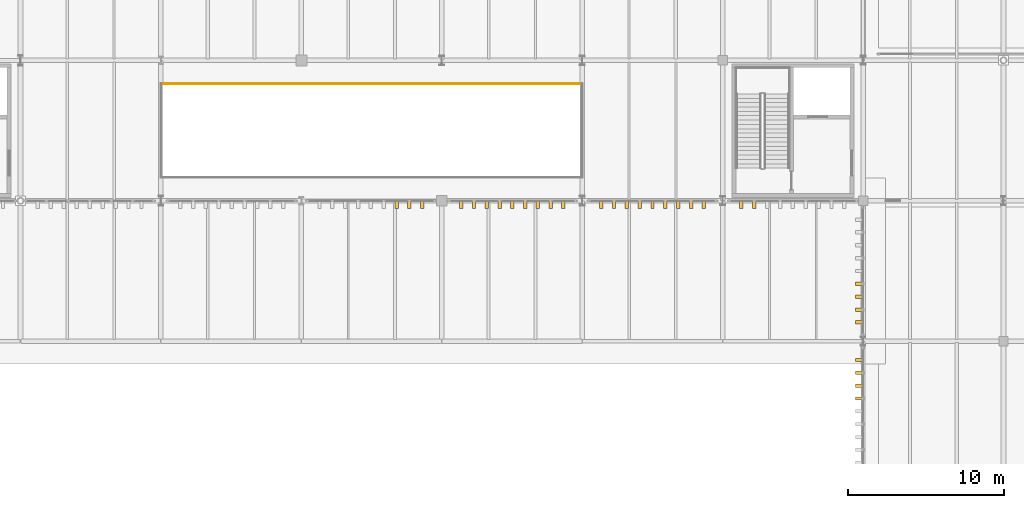
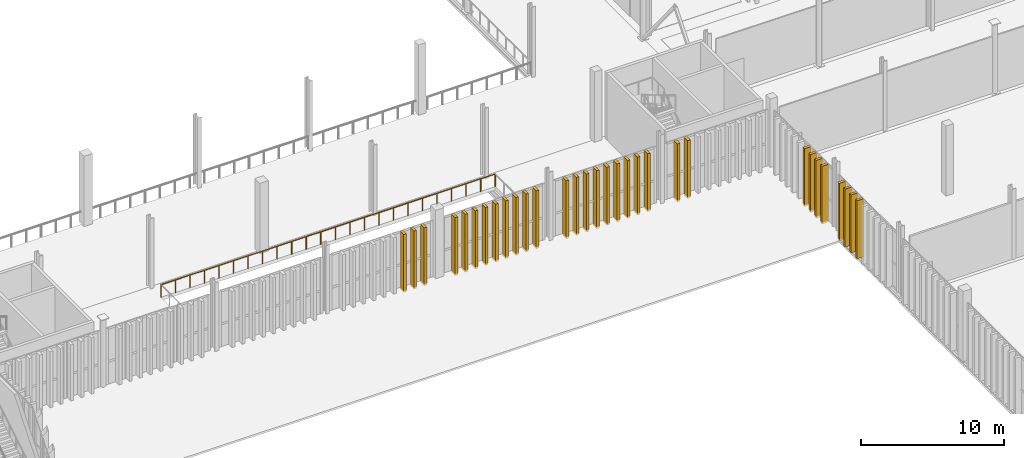
# One storey, part 195 of 211: 31 shading devices, 1 railing.
"""IFC4 building model written with IfcOpenShell, lengths in metres."""

import ifcopenshell
import ifcopenshell.guid

model = None  # the IFC model being written
_history = None  # IfcOwnerHistory: only IFC2X3 demands one
_inside = {}  # id of a spatial element -> (the spatial element, [elements in it])
_under = {}  # id of a project, library or spatial element -> (it, [spatial elements below it])
_declared = {}  # id of a project -> (the project, [libraries it declares])
_typed = {}  # id of a type object -> (the type object, [elements of that type])
_made_of = {}  # id of a material, layer set ... -> (it, [elements and type objects made of it])


def new_model(schema):
    """Start an empty IFC model of exactly this schema.

    Asked for "IFC4X3", IfcOpenShell would pick the latest addendum, in which some entities
    have other attributes; the version numbers below select the first issue.
    IFC2X3 requires an IfcOwnerHistory on every rooted entity: one is made here for all.
    """
    global model, _history
    if schema == "IFC4X3":
        model = ifcopenshell.file(schema_version=(4, 3, 0, 0))
    else:
        model = ifcopenshell.file(schema=schema)
    _inside.clear()
    _under.clear()
    _declared.clear()
    _typed.clear()
    _made_of.clear()
    _history = None
    if model.schema == "IFC2X3":
        org = make("IfcOrganization", Name="unknown")
        user = make(
            "IfcPersonAndOrganization",
            ThePerson=make("IfcPerson", FamilyName="unknown"),
            TheOrganization=org,
        )
        app = make(
            "IfcApplication",
            ApplicationDeveloper=org,
            Version="unknown",
            ApplicationFullName="unknown",
            ApplicationIdentifier="unknown",
        )
        _history = make(
            "IfcOwnerHistory",
            OwningUser=user,
            OwningApplication=app,
            ChangeAction="ADDED",
            CreationDate=0,
        )
    return model


def make(cls, **values):
    """One entity of the class cls with the attributes given. An attribute that is None is left unset."""
    return model.create_entity(
        cls, **{name: value for name, value in values.items() if value is not None}
    )


def rooted(cls, **values):
    """An entity with a GlobalId (a new one), such as an element, a storey or a relation."""
    return make(cls, GlobalId=ifcopenshell.guid.new(), OwnerHistory=_history, **values)


def si_unit(unit_type, name, prefix=None):
    """IfcSIUnit, for example si_unit("LENGTHUNIT", "METRE", prefix="MILLI")."""
    return make("IfcSIUnit", UnitType=unit_type, Prefix=prefix, Name=name)


def assignment(units):
    """IfcUnitAssignment: the units of a project."""
    return None if units is None else make("IfcUnitAssignment", Units=units)


def point(xyz):
    """IfcCartesianPoint."""
    return None if xyz is None else make("IfcCartesianPoint", Coordinates=xyz)


def direction(xyz):
    """IfcDirection."""
    return None if xyz is None else make("IfcDirection", DirectionRatios=xyz)


def frame(location, z_axis=None, x_axis=None):
    """IfcAxis2Placement3D, a coordinate frame: its origin and axes. An axis left out is left unset."""
    return make(
        "IfcAxis2Placement3D",
        Location=point(location),
        Axis=direction(z_axis),
        RefDirection=direction(x_axis),
    )


def frame_2d(location, x_axis=None):
    """IfcAxis2Placement2D, a coordinate frame in the plane: its origin and x axis."""
    return make(
        "IfcAxis2Placement2D", Location=point(location), RefDirection=direction(x_axis)
    )


def origin():
    """The frame at (0, 0, 0) with its axes left unset."""
    return frame((0.0, 0.0, 0.0))


def origin_2d():
    """The frame at (0, 0) in the plane with its x axis left unset."""
    return frame_2d((0.0, 0.0))


def place(relative_to, where):
    """IfcLocalPlacement: puts the frame where relative to a parent placement (None: the world)."""
    return make(
        "IfcLocalPlacement", PlacementRelTo=relative_to, RelativePlacement=where
    )


def context(
    kind, dimensions, precision=None, world=None, true_north=None, identifier=None
):
    """IfcGeometricRepresentationContext, for example the 3D "Model" context."""
    return make(
        "IfcGeometricRepresentationContext",
        ContextIdentifier=identifier,
        ContextType=kind,
        CoordinateSpaceDimension=dimensions,
        Precision=precision,
        WorldCoordinateSystem=world,
        TrueNorth=true_north,
    )


def subcontext(parent, identifier, kind, view, scale=None):
    """IfcGeometricRepresentationSubContext, for example "Body" below "Model"."""
    return make(
        "IfcGeometricRepresentationSubContext",
        ContextIdentifier=identifier,
        ContextType=kind,
        ParentContext=parent,
        TargetScale=scale,
        TargetView=view,
    )


def project(units=None, contexts=None):
    """IfcProject with its units and contexts."""
    return rooted(
        "IfcProject",
        Name="project",
        RepresentationContexts=contexts,
        UnitsInContext=assignment(units),
    )


def spatial(cls, under=None, at=None, **own):
    """A site, building, storey or space (cls), placed at a placement, below another one or the project."""
    s = rooted(cls, ObjectPlacement=at, **own)
    if under is not None:
        _under.setdefault(under.id(), (under, []))[1].append(s)
    return s


def profile(cls, at=None, kind="AREA", **sizes):
    """A parametric profile (cls). Its sizes go by their IFC names, for example OverallWidth=200.0."""
    return make(cls, ProfileType=kind, Position=at, **sizes)


def rectangle(**sizes):
    """IfcRectangleProfileDef."""
    return profile("IfcRectangleProfileDef", **sizes)


def circle(**sizes):
    """IfcCircleProfileDef."""
    return profile("IfcCircleProfileDef", **sizes)


def extrude(swept, where, along, depth):
    """IfcExtrudedAreaSolid: the profile swept, set in the frame where, extruded along a direction by depth."""
    return make(
        "IfcExtrudedAreaSolid",
        SweptArea=swept,
        Position=where,
        ExtrudedDirection=direction(along),
        Depth=depth,
    )


def shape(context_of_items, identifier, shape_type, items):
    """IfcShapeRepresentation: the items that make up one representation, for example the "Body"."""
    return make(
        "IfcShapeRepresentation",
        ContextOfItems=context_of_items,
        RepresentationIdentifier=identifier,
        RepresentationType=shape_type,
        Items=items,
    )


def material(Name=None, Category=None):
    """IfcMaterial."""
    return make("IfcMaterial", Name=Name, Category=Category)


def made_of(thing, what):
    """Note that an element or type object is made of a material, layer set ...; save() writes the relation."""
    if what is not None:
        _made_of.setdefault(what.id(), (what, []))[1].append(thing)
    return thing


def type_object(cls, material=None, **own):
    """A type object (cls), such as IfcWallType, which elements share."""
    return made_of(rooted(cls, **own), material)


def element(
    cls,
    number,
    at=None,
    inside=None,
    cuts=None,
    type_object=None,
    material=None,
    context=None,
    identifier="Body",
    shape_type=None,
    held_by="IfcProductDefinitionShape",
    body=None,
    shapes=None,
    **own,
):
    """One element of the class cls, such as IfcWall. Its Tag is "e" and its number.

    at: its placement. inside: the storey or other place that contains it. cuts: it is an
    opening in that element (IfcRelVoidsElement). A single representation is given by context,
    identifier, shape_type and body (its items); several are given by shapes. held_by: the class
    of the entity that holds the representations. save() writes the other relations.
    """
    e = rooted(cls, Tag="e%d" % number, ObjectPlacement=at, **own)
    if body is not None:
        shapes = [shape(context, identifier, shape_type, body)]
    if shapes is not None:
        e.Representation = make(held_by, Representations=shapes)
    if inside is not None:
        _inside.setdefault(inside.id(), (inside, []))[1].append(e)
    if cuts is not None:
        rooted(
            "IfcRelVoidsElement", RelatingBuildingElement=cuts, RelatedOpeningElement=e
        )
    if type_object is not None:
        _typed.setdefault(type_object.id(), (type_object, []))[1].append(e)
    return made_of(e, material)


def aggregate(whole, parts):
    """IfcRelAggregates: a whole, such as a stair, and the parts it consists of."""
    return rooted("IfcRelAggregates", RelatingObject=whole, RelatedObjects=parts)


def save(model, path):
    """Write the relations noted so far, then the file.

    IfcRelAggregates (storeys below a building ...), IfcRelContainedInSpatialStructure (elements
    in a storey), IfcRelDefinesByType, IfcRelAssociatesMaterial and IfcRelDeclares: one each for
    every whole, place, type object, material and project.
    """
    for whole, parts in _under.values():
        aggregate(whole, parts)
    for where, things in _inside.values():
        rooted(
            "IfcRelContainedInSpatialStructure",
            RelatedElements=things,
            RelatingStructure=where,
        )
    for kind, things in _typed.values():
        rooted("IfcRelDefinesByType", RelatedObjects=things, RelatingType=kind)
    for what, things in _made_of.values():
        rooted("IfcRelAssociatesMaterial", RelatedObjects=things, RelatingMaterial=what)
    for by, libraries in _declared.values():
        rooted("IfcRelDeclares", RelatingContext=by, RelatedDefinitions=libraries)
    model.write(path)


model = new_model("IFC4")

# Units and contexts
model_context = context("Model", 3, precision=1e-05, world=origin(), true_north=direction((0.0, 1.0)))
body_context = subcontext(model_context, "Body", "Model", "MODEL_VIEW")
ifc_project = project(units=[si_unit("LENGTHUNIT", "METRE"), si_unit("AREAUNIT", "SQUARE_METRE"), si_unit("VOLUMEUNIT", "CUBIC_METRE"), si_unit("PLANEANGLEUNIT", "RADIAN"), si_unit("MASSUNIT", "GRAM", prefix="KILO")], contexts=[model_context])

# Site, building, storey
site_placement = place(None, origin())
site = spatial("IfcSite", under=ifc_project, at=site_placement, CompositionType="ELEMENT")
building_placement = place(site_placement, origin())
building = spatial("IfcBuilding", under=site, at=building_placement, Name="Barlavento Convention Centre", CompositionType="ELEMENT")
storey_placement = place(building_placement, frame((0.0, 0.0, 6.0)))
storey = spatial("IfcBuildingStorey", under=building, at=storey_placement, Name="L01", CompositionType="ELEMENT", Elevation=6.0)

# Railing
ifc_material_1 = material(Name="Stainless steel and laminated glass balustrade", Category="steel")
railing_type = type_object("IfcRailingType", Name="ARC-RAL-BAL-1100", PredefinedType="BALUSTRADE", material=ifc_material_1)
railing_placement = place(storey_placement, frame((108.0, 52.5, 0.0)))
element("IfcRailing", 1, at=railing_placement, inside=storey, type_object=railing_type, Name="L01 interior atrium or gallery balustrade GR01", PredefinedType="BALUSTRADE", context=body_context, shape_type="SweptSolid", body=[
    extrude(circle(Radius=0.02392578125, at=origin_2d()), frame((0.0, 0.0, 1.076171875), z_axis=(-1.0, 0.0, 0.0), x_axis=(0.0, -1.0, 0.0)), (0.0, 0.0, 1.0), 27.0),
    extrude(circle(Radius=0.02099609375, at=origin_2d()), origin(), (0.0, 0.0, 1.0), 1.052001953125),
    extrude(circle(Radius=0.02099609375, at=origin_2d()), frame((-1.173828125, 0.0, 0.0)), (0.0, 0.0, 1.0), 1.052001953125),
    extrude(circle(Radius=0.02099609375, at=origin_2d()), frame((-2.347900390625, 0.0, 0.0)), (0.0, 0.0, 1.0), 1.052001953125),
    extrude(circle(Radius=0.02099609375, at=origin_2d()), frame((-3.521728515625, 0.0, 0.0)), (0.0, 0.0, 1.0), 1.052001953125),
    extrude(circle(Radius=0.02099609375, at=origin_2d()), frame((-4.695556640625, 0.0, 0.0)), (0.0, 0.0, 1.0), 1.052001953125),
    extrude(circle(Radius=0.02099609375, at=origin_2d()), frame((-5.86962890625, 0.0, 0.0)), (0.0, 0.0, 1.0), 1.052001953125),
    extrude(circle(Radius=0.02099609375, at=origin_2d()), frame((-7.04345703125, 0.0, 0.0)), (0.0, 0.0, 1.0), 1.052001953125),
    extrude(circle(Radius=0.02099609375, at=origin_2d()), frame((-8.21728515625, 0.0, 0.0)), (0.0, 0.0, 1.0), 1.052001953125),
    extrude(circle(Radius=0.02099609375, at=origin_2d()), frame((-9.391357421875, 0.0, 0.0)), (0.0, 0.0, 1.0), 1.052001953125),
    extrude(circle(Radius=0.02099609375, at=origin_2d()), frame((-10.565185546875, 0.0, 0.0)), (0.0, 0.0, 1.0), 1.052001953125),
    extrude(circle(Radius=0.02099609375, at=origin_2d()), frame((-11.739013671875, 0.0, 0.0)), (0.0, 0.0, 1.0), 1.052001953125),
    extrude(circle(Radius=0.02099609375, at=origin_2d()), frame((-12.9130859375, 0.0, 0.0)), (0.0, 0.0, 1.0), 1.052001953125),
    extrude(circle(Radius=0.02099609375, at=origin_2d()), frame((-14.0869140625, 0.0, 0.0)), (0.0, 0.0, 1.0), 1.052001953125),
    extrude(circle(Radius=0.02099609375, at=origin_2d()), frame((-15.260986328125, 0.0, 0.0)), (0.0, 0.0, 1.0), 1.052001953125),
    extrude(circle(Radius=0.02099609375, at=origin_2d()), frame((-16.434814453125, 0.0, 0.0)), (0.0, 0.0, 1.0), 1.052001953125),
    extrude(circle(Radius=0.02099609375, at=origin_2d()), frame((-17.608642578125, 0.0, 0.0)), (0.0, 0.0, 1.0), 1.052001953125),
    extrude(circle(Radius=0.02099609375, at=origin_2d()), frame((-18.78271484375, 0.0, 0.0)), (0.0, 0.0, 1.0), 1.052001953125),
    extrude(circle(Radius=0.02099609375, at=origin_2d()), frame((-19.95654296875, 0.0, 0.0)), (0.0, 0.0, 1.0), 1.052001953125),
    extrude(circle(Radius=0.02099609375, at=origin_2d()), frame((-21.13037109375, 0.0, 0.0)), (0.0, 0.0, 1.0), 1.052001953125),
    extrude(circle(Radius=0.02099609375, at=origin_2d()), frame((-22.304443359375, 0.0, 0.0)), (0.0, 0.0, 1.0), 1.052001953125),
    extrude(circle(Radius=0.02099609375, at=origin_2d()), frame((-23.478271484375, 0.0, 0.0)), (0.0, 0.0, 1.0), 1.052001953125),
    extrude(circle(Radius=0.02099609375, at=origin_2d()), frame((-24.652099609375, 0.0, 0.0)), (0.0, 0.0, 1.0), 1.052001953125),
    extrude(circle(Radius=0.02099609375, at=origin_2d()), frame((-25.826171875, 0.0, 0.0)), (0.0, 0.0, 1.0), 1.052001953125),
    extrude(circle(Radius=0.02099609375, at=origin_2d()), frame((-27.0, 0.0, 0.0)), (0.0, 0.0, 1.0), 1.052001953125),
])

# Shading devices
ifc_material_2 = material(Name="PVDF white extruded aluminium", Category="aluminium")
shading_device_type = type_object("IfcShadingDeviceType", Name="ARC-SHD-FIN-480", PredefinedType="USERDEFINED", material=ifc_material_2)
for number, where, z_axis, x_axis, name in (
    (2, (96.1015625, 44.760009765625, 0.0), (0.0, 0.0, 1.0), (1.0, 0.0, 0.0), "White vertical solar shading fin VF01"),
    (3, (96.92431640625, 44.760009765625, 0.0), (0.0, 0.0, 1.0), (1.0, 0.0, 0.0), "White vertical solar shading fin VF01"),
    (4, (97.747314453125, 44.760009765625, 0.0), (0.0, 0.0, 1.0), (1.0, 0.0, 0.0), "White vertical solar shading fin VF01"),
    (5, (100.248046875, 44.760009765625, 0.0), (0.0, 0.0, 1.0), (1.0, 0.0, 0.0), "White vertical solar shading fin VF01"),
    (6, (101.06591796875, 44.760009765625, 0.0), (0.0, 0.0, 1.0), (1.0, 0.0, 0.0), "White vertical solar shading fin VF01"),
    (7, (101.884033203125, 44.760009765625, 0.0), (0.0, 0.0, 1.0), (1.0, 0.0, 0.0), "White vertical solar shading fin VF01"),
    (8, (102.701904296875, 44.760009765625, 0.0), (0.0, 0.0, 1.0), (1.0, 0.0, 0.0), "White vertical solar shading fin VF01"),
    (9, (103.52001953125, 44.760009765625, 0.0), (0.0, 0.0, 1.0), (1.0, 0.0, 0.0), "White vertical solar shading fin VF01"),
    (10, (104.337890625, 44.760009765625, 0.0), (0.0, 0.0, 1.0), (1.0, 0.0, 0.0), "White vertical solar shading fin VF01"),
    (11, (105.156005859375, 44.760009765625, 0.0), (0.0, 0.0, 1.0), (1.0, 0.0, 0.0), "White vertical solar shading fin VF01"),
    (12, (105.97412109375, 44.760009765625, 0.0), (0.0, 0.0, 1.0), (1.0, 0.0, 0.0), "White vertical solar shading fin VF01"),
    (13, (106.7919921875, 44.760009765625, 0.0), (0.0, 0.0, 1.0), (1.0, 0.0, 0.0), "White vertical solar shading fin VF01"),
    (14, (109.212890625, 44.760009765625, 0.0), (0.0, 0.0, 1.0), (1.0, 0.0, 0.0), "White vertical solar shading fin VF01"),
    (15, (110.035888671875, 44.760009765625, 0.0), (0.0, 0.0, 1.0), (1.0, 0.0, 0.0), "White vertical solar shading fin VF01"),
    (16, (110.85888671875, 44.760009765625, 0.0), (0.0, 0.0, 1.0), (1.0, 0.0, 0.0), "White vertical solar shading fin VF01"),
    (17, (111.681884765625, 44.760009765625, 0.0), (0.0, 0.0, 1.0), (1.0, 0.0, 0.0), "White vertical solar shading fin VF01"),
    (18, (112.5048828125, 44.760009765625, 0.0), (0.0, 0.0, 1.0), (1.0, 0.0, 0.0), "White vertical solar shading fin VF01"),
    (19, (113.327880859375, 44.760009765625, 0.0), (0.0, 0.0, 1.0), (1.0, 0.0, 0.0), "White vertical solar shading fin VF01"),
    (20, (114.15087890625, 44.760009765625, 0.0), (0.0, 0.0, 1.0), (1.0, 0.0, 0.0), "White vertical solar shading fin VF01"),
    (21, (114.97412109375, 44.760009765625, 0.0), (0.0, 0.0, 1.0), (1.0, 0.0, 0.0), "White vertical solar shading fin VF01"),
    (22, (115.797119140625, 44.760009765625, 0.0), (0.0, 0.0, 1.0), (1.0, 0.0, 0.0), "White vertical solar shading fin VF01"),
    (23, (118.2041015625, 44.760009765625, 0.0), (0.0, 0.0, 1.0), (1.0, 0.0, 0.0), "White vertical solar shading fin VF01"),
    (24, (119.028076171875, 44.760009765625, 0.0), (0.0, 0.0, 1.0), (1.0, 0.0, 0.0), "White vertical solar shading fin VF01"),
    (25, (125.760009765625, 32.327880859375, 0.0), (0.0, 0.0, 1.0), (0.0, 1.0, 0.0), "White vertical solar shading fin VF01"),
    (26, (125.760009765625, 33.15087890625, 0.0), (0.0, 0.0, 1.0), (0.0, 1.0, 0.0), "White vertical solar shading fin VF01"),
    (27, (125.760009765625, 33.97412109375, 0.0), (0.0, 0.0, 1.0), (0.0, 1.0, 0.0), "White vertical solar shading fin VF01"),
    (28, (125.760009765625, 34.797119140625, 0.0), (0.0, 0.0, 1.0), (0.0, 1.0, 0.0), "White vertical solar shading fin VF01"),
    (29, (125.760009765625, 37.2041015625, 0.0), (0.0, 0.0, 1.0), (0.0, 1.0, 0.0), "White vertical solar shading fin VF01"),
    (30, (125.760009765625, 38.028076171875, 0.0), (0.0, 0.0, 1.0), (0.0, 1.0, 0.0), "White vertical solar shading fin VF01"),
    (31, (125.760009765625, 38.85205078125, 0.0), (0.0, 0.0, 1.0), (0.0, 1.0, 0.0), "White vertical solar shading fin VF01"),
    (32, (125.760009765625, 39.676025390625, 0.0), (0.0, 0.0, 1.0), (0.0, 1.0, 0.0), "White vertical solar shading fin VF01"),
):
    element("IfcShadingDevice", number, at=place(storey_placement, frame(where, z_axis=z_axis, x_axis=x_axis)), inside=storey, type_object=shading_device_type, Name=name, ObjectType="FIN", PredefinedType="USERDEFINED", context=body_context, shape_type="SweptSolid", body=[
        extrude(rectangle(XDim=0.219970703125, YDim=0.52001953125, at=origin_2d()), origin(), (0.0, 0.0, 1.0), 4.949951171875),
    ])

save(model, "model.ifc")
